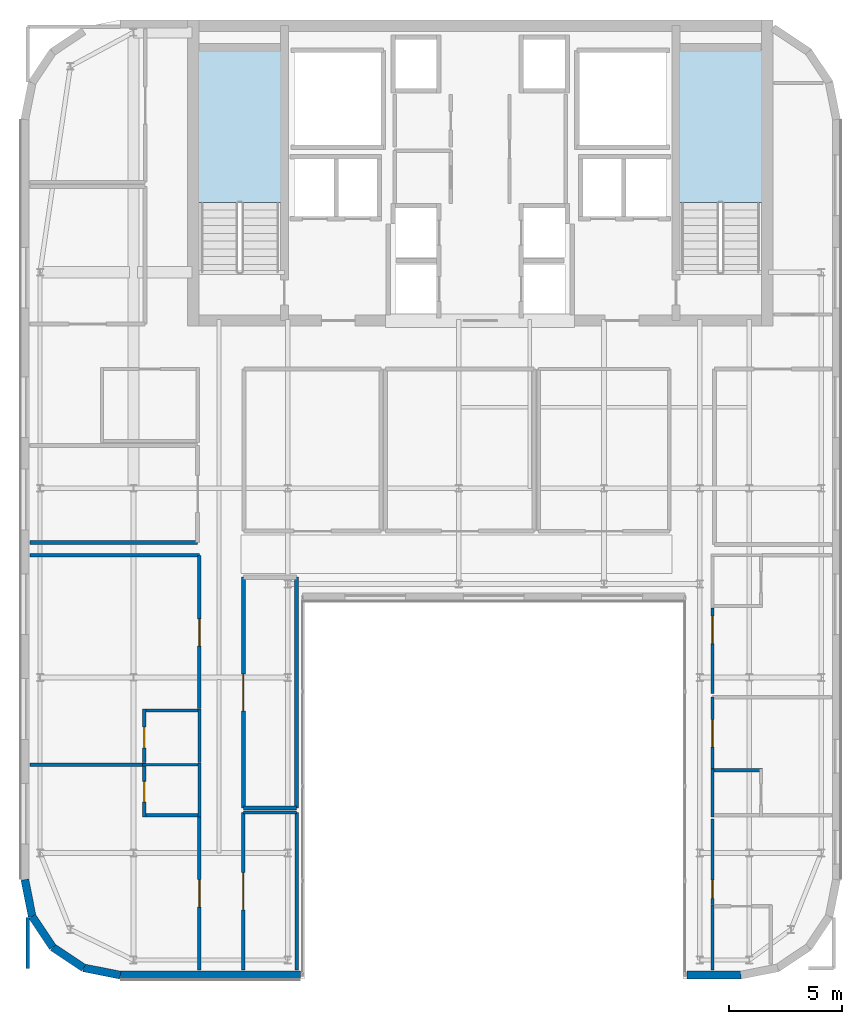
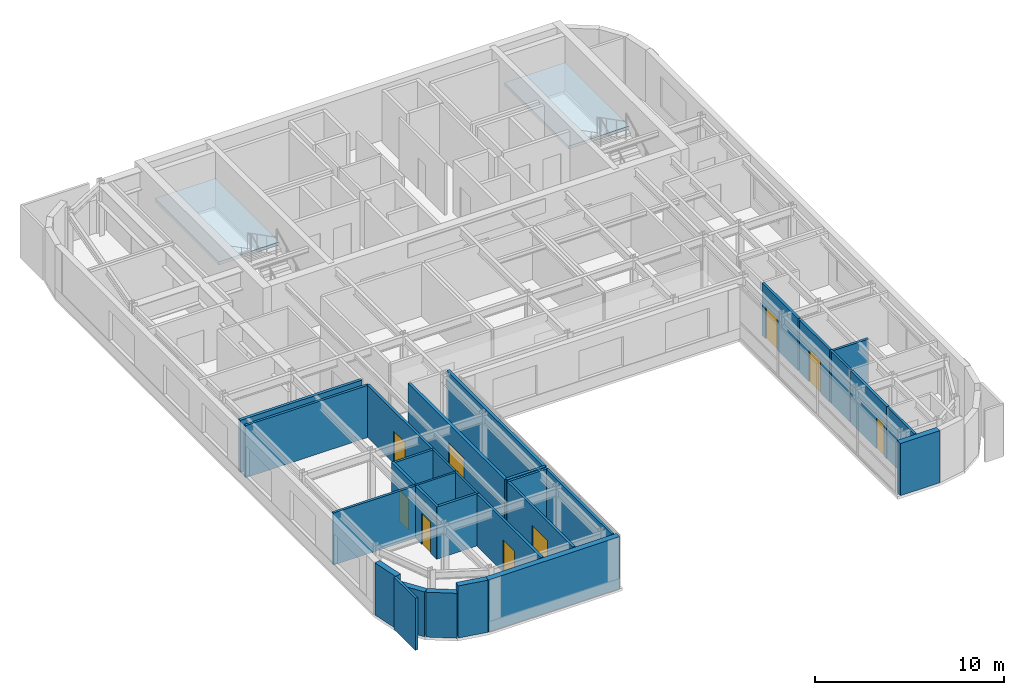
# One storey, part 13 of 21: 31 walls, 9 doors, 2 slabs, 9 openings, 2 elements without a shape of their own.
"""IFC4 building model written with IfcOpenShell, lengths in metres."""

from ifc_helpers import new_model, si_unit, direction, frame, frame_2d, origin, place, context, subcontext, project, spatial, polyline, rectangle, outline, extrude, source, transform, mapped, material, layer, layer_set, type_object, type_shapes, element, fill, aggregate, save


model = new_model("IFC4")

# Units and contexts
model_context = context("Model", 3, precision=1e-05, world=origin(), true_north=direction((0.0, 1.0)))
body_context = subcontext(model_context, "Body", "Model", "MODEL_VIEW")
ifc_project = project(units=[si_unit("LENGTHUNIT", "METRE"), si_unit("AREAUNIT", "SQUARE_METRE"), si_unit("VOLUMEUNIT", "CUBIC_METRE"), si_unit("PLANEANGLEUNIT", "RADIAN"), si_unit("MASSUNIT", "GRAM", prefix="KILO")], contexts=[model_context])

# Site, building, storey
site_placement = place(None, origin())
site = spatial("IfcSite", under=ifc_project, at=site_placement, CompositionType="ELEMENT")
building_placement = place(site_placement, origin())
building = spatial("IfcBuilding", under=site, at=building_placement, Name="Tolvann Quenvar Hotel", CompositionType="ELEMENT")
storey_placement = place(building_placement, frame((0.0, 0.0, 255.85009765625)))
storey = spatial("IfcBuildingStorey", under=building, at=storey_placement, Name="L68", CompositionType="ELEMENT", Elevation=255.85009765625)

# Stair, slab
ifc_material_1 = material(Name="Concrete N40 (40 MPa)", Category="concrete")
stair_type = type_object("IfcStairType", Name="STAIR", PredefinedType="HALF_TURN_STAIR", material=ifc_material_1)
stair_1_placement = place(storey_placement, origin())
stair_1 = element("IfcStair", 1, at=stair_1_placement, inside=storey, type_object=stair_type, Name="L68 ST-C1", PredefinedType="HALF_TURN_STAIR")
ifc_layer_1 = layer(ifc_material_1, 0.199951171875)
ifc_layer_set_1 = layer_set([ifc_layer_1], Name="Concrete N40 (40 MPa)")
slab_type = type_object("IfcSlabType", Name="SLAB_LANDING", PredefinedType="LANDING", material=ifc_layer_set_1)
slab_1_placement = place(storey_placement, frame((0.0, 0.0, 1.574951171875)))
slab_1 = element("IfcSlab", 2, at=slab_1_placement, type_object=slab_type, Name="ST-C1 landing 1", PredefinedType="LANDING", context=body_context, shape_type="SweptSolid", body=[
    extrude(outline(polyline([(14.179931640625, 37.10498046875), (14.179931640625, 43.8798828125), (10.469970703125, 43.8798828125), (10.469970703125, 37.10498046875), (14.179931640625, 37.10498046875)])), origin(), (0.0, 0.0, 1.0), 0.199951171875),
])
aggregate(stair_1, [slab_1])

stair_2_placement = place(storey_placement, origin())
stair_2 = element("IfcStair", 3, at=stair_2_placement, inside=storey, type_object=stair_type, Name="L68 ST-C2", PredefinedType="HALF_TURN_STAIR")
slab_2_placement = place(storey_placement, frame((0.0, 0.0, 1.574951171875)))
slab_2 = element("IfcSlab", 4, at=slab_2_placement, type_object=slab_type, Name="ST-C2 landing 1", PredefinedType="LANDING", context=body_context, shape_type="SweptSolid", body=[
    extrude(outline(polyline([(35.530029296875, 37.10498046875), (35.530029296875, 43.8798828125), (31.820068359375, 43.8798828125), (31.820068359375, 37.10498046875), (35.530029296875, 37.10498046875)])), origin(), (0.0, 0.0, 1.0), 0.199951171875),
])
aggregate(stair_2, [slab_2])

# Walls
ifc_material_2 = material(Name="Kiln-fired red and buff architectural clay brickwork and terracotta masonry", Category="masonry")
ifc_layer_2 = layer(ifc_material_2, 0.35009765625)
ifc_layer_set_2 = layer_set([ifc_layer_2], Name="Kiln-fired red and buff architectural clay brickwork and terracotta masonry")
wall_type_1 = type_object("IfcWallType", Name="WALL_EXT_BRICK_350", PredefinedType="SOLIDWALL", material=ifc_layer_set_2)
for number, where, z_axis, x_axis, name in (
    (5, (3.099609375, 5.384521484375, 0.0), (0.0, 0.0, 1.0), (0.555623290322, -0.831434158098, 0.0), "Exterior Chicago Brick Wall L68-E01"),
    (6, (4.014892578125, 4.014892578125, 0.0), (0.0, 0.0, 1.0), (0.831434158098, -0.555623290322, 0.0), "Exterior Chicago Brick Wall L68-E02"),
):
    element("IfcWall", number, at=place(storey_placement, frame(where, z_axis=z_axis, x_axis=x_axis)), inside=storey, type_object=wall_type_1, Name=name, PredefinedType="SOLIDWALL", context=body_context, shape_type="SweptSolid", body=[
        extrude(rectangle(XDim=1.647216796875, YDim=0.35009765625, at=frame_2d((0.82373046875, 0.0))), origin(), (0.0, 0.0, 1.0), 2.89990234375),
    ])
wall_1_placement = place(storey_placement, frame((5.384521484375, 3.099609375, 0.0), z_axis=(0.0, 0.0, 1.0), x_axis=(0.980788844421, -0.195072403631, 0.0)))
element("IfcWall", 7, at=wall_1_placement, inside=storey, type_object=wall_type_1, Name="Exterior Chicago Brick Wall L68-E03", PredefinedType="SOLIDWALL", context=body_context, shape_type="SweptSolid", body=[
    extrude(rectangle(XDim=1.66455078125, YDim=0.35009765625, at=frame_2d((0.832275390625, 0.0))), origin(), (0.0, 0.0, 1.0), 3.369873046875),
])
wall_2_placement = place(storey_placement, frame((7.01708984375, 2.77490234375, 0.0), z_axis=(0.0, 0.0, 1.0), x_axis=(1.0, 0.0, 0.0)))
element("IfcWall", 8, at=wall_2_placement, inside=storey, type_object=wall_type_1, Name="Exterior Chicago Brick Wall L68-E04", PredefinedType="SOLIDWALL", context=body_context, shape_type="SweptSolid", body=[
    extrude(rectangle(XDim=8.0078125, YDim=0.35009765625, at=frame_2d((4.00390625, 0.0))), origin(), (0.0, 0.0, 1.0), 3.369873046875),
])
wall_3_placement = place(storey_placement, frame((32.175048828125, 2.77490234375, 0.0), z_axis=(0.0, 0.0, 1.0), x_axis=(1.0, 0.0, 0.0)))
element("IfcWall", 9, at=wall_3_placement, inside=storey, type_object=wall_type_1, Name="Exterior Chicago Brick Wall L68-E08", PredefinedType="SOLIDWALL", context=body_context, shape_type="SweptSolid", body=[
    extrude(rectangle(XDim=2.40771484375, YDim=0.35009765625, at=frame_2d((1.203857421875, 0.0))), origin(), (0.0, 0.0, 1.0), 3.369873046875),
])
wall_4_placement = place(storey_placement, frame((2.77490234375, 7.01708984375, 0.0), z_axis=(0.0, 0.0, 1.0), x_axis=(0.195072403631, -0.980788844421, 0.0)))
element("IfcWall", 10, at=wall_4_placement, inside=storey, type_object=wall_type_1, Name="Exterior Chicago Brick Wall L68-E24", PredefinedType="SOLIDWALL", context=body_context, shape_type="SweptSolid", body=[
    extrude(rectangle(XDim=1.66455078125, YDim=0.35009765625, at=frame_2d((0.832275390625, 0.0))), origin(), (0.0, 0.0, 1.0), 3.369873046875),
])
ifc_material_3 = material(Name="Acoustic twin-stud fire-rated gypsum plasterboard partition")
ifc_layer_3 = layer(ifc_material_3, 0.179931640625)
ifc_layer_set_3 = layer_set([ifc_layer_3], Name="Acoustic twin-stud fire-rated gypsum plasterboard partition")
wall_type_2 = type_object("IfcWallType", Name="WALL_PART_ACOUSTIC_180", PredefinedType="PARTITIONING", material=ifc_layer_set_3)
wall_5_placement = place(storey_placement, frame((12.47998046875, 10.199951171875, 0.0), z_axis=(0.0, 0.0, 1.0), x_axis=(1.0, 0.0, 0.0)))
element("IfcWall", 11, at=wall_5_placement, inside=storey, type_object=wall_type_2, Name="Interior Partition PT-SPC-L68-POVL-S", PredefinedType="PARTITIONING", context=body_context, shape_type="SweptSolid", body=[
    extrude(rectangle(XDim=2.3701171875, YDim=0.179931640625, at=frame_2d((1.18505859375, 0.0))), origin(), (0.0, 0.0, 1.0), 3.369873046875),
])

# Wall, opening, door
wall_6_placement = place(storey_placement, frame((12.47998046875, 10.199951171875, 0.0), z_axis=(0.0, 0.0, 1.0), x_axis=(0.0, 1.0, 0.0)))
wall_6 = element("IfcWall", 12, at=wall_6_placement, inside=storey, type_object=wall_type_2, Name="Interior Partition PT-SPC-L68-POVL-W", PredefinedType="PARTITIONING", context=body_context, shape_type="SweptSolid", body=[
    extrude(rectangle(XDim=10.25, YDim=0.179931640625, at=frame_2d((5.125, 0.0))), origin(), (0.0, 0.0, 1.0), 3.369873046875),
])
opening_1_placement = place(wall_6_placement, frame((4.300048828125, 0.0, 0.0)))
opening_1 = element("IfcOpeningElement", 13, at=opening_1_placement, cuts=wall_6, Name="Opening AD-01", PredefinedType="OPENING", context=body_context, shape_type="SweptSolid", body=[
    extrude(rectangle(XDim=1.64990234375, YDim=2.14990234375, at=frame_2d((0.824951171875, 1.074951171875))), frame((0.0, 0.10009765625, 0.0), z_axis=(0.0, -1.0, 0.0), x_axis=(1.0, 0.0, 0.0)), (0.0, 0.0, 1.0), 0.199951171875),
])
ifc_material_4 = material(Name="Solid-core American oak acoustic fire door leaf in steel frame", Category="steel")
door_type_1 = type_object("IfcDoorType", Name="DOOR_SALON_1650", OperationType="NOTDEFINED", PredefinedType="DOOR", material=ifc_material_4)
shared_shape_1 = source(origin(), body_context, "Body", "SweptSolid", [
    extrude(rectangle(XDim=1.64990234375, YDim=2.14990234375, at=frame_2d((0.824951171875, 1.074951171875))), frame((0.0, 0.02490234375, 0.0), z_axis=(0.0, -1.0, 0.0), x_axis=(1.0, 0.0, 0.0)), (0.0, 0.0, 1.0), 0.050048828125),
])
type_shapes(door_type_1, [shared_shape_1])
door_1_placement = place(opening_1_placement, origin())
door_1 = element("IfcDoor", 14, at=door_1_placement, inside=storey, type_object=door_type_1, Name="Interior Door DOOR-SPC-L68-POVL", OperationType="DOUBLE_DOOR_SINGLE_SWING", OverallHeight=2.14990234375, OverallWidth=1.64990234375, PredefinedType="DOOR", context=body_context, shape_type="MappedRepresentation", body=[
    mapped(shared_shape_1, transform((0.0, 0.0, 0.0), x_axis=(1.0, 0.0, 0.0), y_axis=(0.0, 1.0, 0.0), z_axis=(0.0, 0.0, 1.0), scale=1.0)),
])
fill(opening_1, door_1)

# Walls
wall_7_placement = place(storey_placement, frame((14.85009765625, 10.199951171875, 0.0), z_axis=(0.0, 0.0, 1.0), x_axis=(0.0, 1.0, 0.0)))
element("IfcWall", 15, at=wall_7_placement, inside=storey, type_object=wall_type_2, Name="Interior Partition PT-SPC-L68-POVL-E", PredefinedType="PARTITIONING", context=body_context, shape_type="SweptSolid", body=[
    extrude(rectangle(XDim=10.25, YDim=0.179931640625, at=frame_2d((5.125, 0.0))), origin(), (0.0, 0.0, 1.0), 3.369873046875),
])
wall_8_placement = place(storey_placement, frame((3.0048828125, 22.0, 0.0), z_axis=(0.0, 0.0, 1.0), x_axis=(1.0, 0.0, 0.0)))
element("IfcWall", 16, at=wall_8_placement, inside=storey, type_object=wall_type_2, Name="Interior Partition PT-SPC-L68-WCLNG-S", PredefinedType="PARTITIONING", context=body_context, shape_type="SweptSolid", body=[
    extrude(rectangle(XDim=7.445068359375, YDim=0.179931640625, at=frame_2d((3.72265625, 0.0))), origin(), (0.0, 0.0, 1.0), 3.369873046875),
])
ifc_material_5 = material(Name="Moisture-resistant acoustic plumbing wall assembly")
ifc_layer_4 = layer(ifc_material_5, 0.1201171875)
ifc_layer_set_4 = layer_set([ifc_layer_4], Name="Moisture-resistant acoustic plumbing wall assembly")
wall_type_3 = type_object("IfcWallType", Name="WALL_PART_BATH_120", PredefinedType="PLUMBINGWALL", material=ifc_layer_set_4)
wall_9_placement = place(storey_placement, frame((8.010009765625, 12.1201171875, 0.0), z_axis=(0.0, 0.0, 1.0), x_axis=(1.0, 0.0, 0.0)))
element("IfcWall", 17, at=wall_9_placement, inside=storey, type_object=wall_type_3, Name="Non-Rated Plumbing Partition PT-SPC-L68-ENS-PW01-N", PredefinedType="PLUMBINGWALL", context=body_context, shape_type="SweptSolid", body=[
    extrude(rectangle(XDim=2.590087890625, YDim=0.1201171875, at=frame_2d((1.294921875, 0.0))), origin(), (0.0, 0.0, 1.0), 3.369873046875),
])
wall_10_placement = place(storey_placement, frame((10.530029296875, 9.800048828125, 0.0), z_axis=(0.0, 0.0, 1.0), x_axis=(0.0, 1.0, 0.0)))
element("IfcWall", 18, at=wall_10_placement, inside=storey, type_object=wall_type_3, Name="Non-Rated Plumbing Partition PT-SPC-L68-ENS-PW01-E", PredefinedType="PLUMBINGWALL", context=body_context, shape_type="SweptSolid", body=[
    extrude(rectangle(XDim=2.389892578125, YDim=0.1201171875, at=frame_2d((1.19482421875, 0.0))), origin(), (0.0, 0.0, 1.0), 3.369873046875),
])
wall_11_placement = place(storey_placement, frame((10.530029296875, 12.2099609375, 0.0), z_axis=(0.0, 0.0, 1.0), x_axis=(0.0, 1.0, 0.0)))
element("IfcWall", 19, at=wall_11_placement, inside=storey, type_object=wall_type_3, Name="Non-Rated Plumbing Partition PT-SPC-L68-ENS-PW02-E", PredefinedType="PLUMBINGWALL", context=body_context, shape_type="SweptSolid", body=[
    extrude(rectangle(XDim=2.39013671875, YDim=0.1201171875, at=frame_2d((1.195068359375, 0.0))), origin(), (0.0, 0.0, 1.0), 3.369873046875),
])
wall_12_placement = place(storey_placement, frame((33.320068359375, 3.0048828125, 0.0), z_axis=(0.0, 0.0, 1.0), x_axis=(0.0, 1.0, 0.0)))
element("IfcWall", 20, at=wall_12_placement, inside=storey, type_object=wall_type_3, Name="Non-Rated Plumbing Partition PT-SPC-L68-ENS-PE01-W", PredefinedType="PLUMBINGWALL", context=body_context, shape_type="SweptSolid", body=[
    extrude(rectangle(XDim=2.89501953125, YDim=0.1201171875, at=frame_2d((1.447509765625, 0.0))), origin(), (0.0, 0.0, 1.0), 3.369873046875),
])
wall_13_placement = place(storey_placement, frame((33.320068359375, 9.81005859375, 0.0), z_axis=(0.0, 0.0, 1.0), x_axis=(0.0, 1.0, 0.0)))
element("IfcWall", 21, at=wall_13_placement, inside=storey, type_object=wall_type_3, Name="Non-Rated Plumbing Partition PT-SPC-L68-ENS-PE02-W", PredefinedType="PLUMBINGWALL", context=body_context, shape_type="SweptSolid", body=[
    extrude(rectangle(XDim=2.130859375, YDim=0.1201171875, at=frame_2d((1.0654296875, 0.0))), origin(), (0.0, 0.0, 1.0), 3.369873046875),
])

# Wall, opening, door
ifc_layer_5 = layer(ifc_material_3, 0.14990234375)
ifc_layer_set_5 = layer_set([ifc_layer_5], Name="Acoustic twin-stud fire-rated gypsum plasterboard partition")
wall_type_4 = type_object("IfcWallType", Name="WALL_PART_SUITE_150", PredefinedType="PARTITIONING", material=ifc_layer_set_5)
wall_14_placement = place(storey_placement, frame((8.080078125, 9.800048828125, 0.0), z_axis=(0.0, 0.0, 1.0), x_axis=(0.0, 1.0, 0.0)))
wall_14 = element("IfcWall", 22, at=wall_14_placement, inside=storey, type_object=wall_type_4, Name="Interior Partition PT-SPC-L68-ENS-PW01-ENT", PredefinedType="PARTITIONING", context=body_context, shape_type="SweptSolid", body=[
    extrude(rectangle(XDim=2.389892578125, YDim=0.14990234375, at=frame_2d((1.19482421875, 0.0))), origin(), (0.0, 0.0, 1.0), 3.369873046875),
])
opening_2_placement = place(wall_14_placement, frame((0.6650390625, 0.0, 0.0)))
opening_2 = element("IfcOpeningElement", 23, at=opening_2_placement, cuts=wall_14, Name="Opening WD-01", PredefinedType="OPENING", context=body_context, shape_type="SweptSolid", body=[
    extrude(rectangle(XDim=0.919921875, YDim=2.010009765625, at=frame_2d((0.4599609375, 1.0048828125))), frame((0.0, 0.0849609375, 0.0), z_axis=(0.0, -1.0, 0.0), x_axis=(1.0, 0.0, 0.0)), (0.0, 0.0, 1.0), 0.169921875),
])
door_type_2 = type_object("IfcDoorType", Name="DOOR_WC_920", OperationType="NOTDEFINED", PredefinedType="DOOR", material=ifc_material_4)
shared_shape_2 = source(origin(), body_context, "Body", "SweptSolid", [
    extrude(rectangle(XDim=0.919921875, YDim=2.010009765625, at=frame_2d((0.4599609375, 1.0048828125))), frame((0.0, 0.02490234375, 0.0), z_axis=(0.0, -1.0, 0.0), x_axis=(1.0, 0.0, 0.0)), (0.0, 0.0, 1.0), 0.050048828125),
])
type_shapes(door_type_2, [shared_shape_2])
door_2_placement = place(opening_2_placement, origin())
door_2 = element("IfcDoor", 24, at=door_2_placement, inside=storey, type_object=door_type_2, Name="Interior Door DOOR-SPC-L68-ENS-PW01", OperationType="SINGLE_SWING_LEFT", OverallHeight=2.010009765625, OverallWidth=0.919921875, PredefinedType="DOOR", context=body_context, shape_type="MappedRepresentation", body=[
    mapped(shared_shape_2, transform((0.0, 0.0, 0.0), x_axis=(1.0, 0.0, 0.0), y_axis=(0.0, 1.0, 0.0), z_axis=(0.0, 0.0, 1.0), scale=1.0)),
])
fill(opening_2, door_2)

# Wall
wall_15_placement = place(storey_placement, frame((8.010009765625, 9.8701171875, 0.0), z_axis=(0.0, 0.0, 1.0), x_axis=(1.0, 0.0, 0.0)))
element("IfcWall", 25, at=wall_15_placement, inside=storey, type_object=wall_type_4, Name="Interior Partition PT-SPC-L68-ENS-PW01-S", PredefinedType="PARTITIONING", context=body_context, shape_type="SweptSolid", body=[
    extrude(rectangle(XDim=2.590087890625, YDim=0.14990234375, at=frame_2d((1.294921875, 0.0))), origin(), (0.0, 0.0, 1.0), 3.369873046875),
])

# Wall, opening, door
wall_16_placement = place(storey_placement, frame((8.080078125, 12.2099609375, 0.0), z_axis=(0.0, 0.0, 1.0), x_axis=(0.0, 1.0, 0.0)))
wall_16 = element("IfcWall", 26, at=wall_16_placement, inside=storey, type_object=wall_type_4, Name="Interior Partition PT-SPC-L68-ENS-PW02-ENT", PredefinedType="PARTITIONING", context=body_context, shape_type="SweptSolid", body=[
    extrude(rectangle(XDim=2.39013671875, YDim=0.14990234375, at=frame_2d((1.195068359375, 0.0))), origin(), (0.0, 0.0, 1.0), 3.369873046875),
])
opening_3_placement = place(wall_16_placement, frame((0.6650390625, 0.0, 0.0)))
opening_3 = element("IfcOpeningElement", 27, at=opening_3_placement, cuts=wall_16, Name="Opening WD-01", PredefinedType="OPENING", context=body_context, shape_type="SweptSolid", body=[
    extrude(rectangle(XDim=0.919921875, YDim=2.010009765625, at=frame_2d((0.4599609375, 1.0048828125))), frame((0.0, 0.0849609375, 0.0), z_axis=(0.0, -1.0, 0.0), x_axis=(1.0, 0.0, 0.0)), (0.0, 0.0, 1.0), 0.169921875),
])
door_3_placement = place(opening_3_placement, origin())
door_3 = element("IfcDoor", 28, at=door_3_placement, inside=storey, type_object=door_type_2, Name="Interior Door DOOR-SPC-L68-ENS-PW02", OperationType="SINGLE_SWING_RIGHT", OverallHeight=2.010009765625, OverallWidth=0.919921875, PredefinedType="DOOR", context=body_context, shape_type="MappedRepresentation", body=[
    mapped(shared_shape_2, transform((0.0, 0.0, 0.0), x_axis=(1.0, 0.0, 0.0), y_axis=(0.0, 1.0, 0.0), z_axis=(0.0, 0.0, 1.0), scale=1.0)),
])
fill(opening_3, door_3)

# Walls
wall_17_placement = place(storey_placement, frame((8.010009765625, 14.530029296875, 0.0), z_axis=(0.0, 0.0, 1.0), x_axis=(1.0, 0.0, 0.0)))
element("IfcWall", 29, at=wall_17_placement, inside=storey, type_object=wall_type_4, Name="Interior Partition PT-SPC-L68-ENS-PW02-N", PredefinedType="PARTITIONING", context=body_context, shape_type="SweptSolid", body=[
    extrude(rectangle(XDim=2.590087890625, YDim=0.14990234375, at=frame_2d((1.294921875, 0.0))), origin(), (0.0, 0.0, 1.0), 3.369873046875),
])
wall_18_placement = place(storey_placement, frame((33.25, 11.87109375, 0.0), z_axis=(0.0, 0.0, 1.0), x_axis=(1.0, 0.0, 0.0)))
element("IfcWall", 30, at=wall_18_placement, inside=storey, type_object=wall_type_4, Name="Interior Partition PT-SPC-L68-ENS-PE02-N", PredefinedType="PARTITIONING", context=body_context, shape_type="SweptSolid", body=[
    extrude(rectangle(XDim=2.2900390625, YDim=0.14990234375, at=frame_2d((1.14501953125, 0.0))), origin(), (0.0, 0.0, 1.0), 3.369873046875),
])

# Wall, opening, door
wall_19_placement = place(storey_placement, frame((10.530029296875, 3.0048828125, 0.0), z_axis=(0.0, 0.0, 1.0), x_axis=(0.0, 1.0, 0.0)))
wall_19 = element("IfcWall", 31, at=wall_19_placement, inside=storey, type_object=wall_type_4, Name="Interior Partition PT-SPC-L68-RM-PW01-ENT", PredefinedType="PARTITIONING", context=body_context, shape_type="SweptSolid", body=[
    extrude(rectangle(XDim=6.78515625, YDim=0.14990234375, at=frame_2d((3.392578125, 0.0))), origin(), (0.0, 0.0, 1.0), 3.369873046875),
])
opening_4_placement = place(wall_19_placement, frame((2.7900390625, 0.0, 0.0)))
opening_4 = element("IfcOpeningElement", 32, at=opening_4_placement, cuts=wall_19, Name="Opening SD-02", PredefinedType="OPENING", context=body_context, shape_type="SweptSolid", body=[
    extrude(rectangle(XDim=1.219970703125, YDim=2.080078125, at=frame_2d((0.60986328125, 1.0400390625))), frame((0.0, 0.0849609375, 0.0), z_axis=(0.0, -1.0, 0.0), x_axis=(1.0, 0.0, 0.0)), (0.0, 0.0, 1.0), 0.169921875),
])
door_type_3 = type_object("IfcDoorType", Name="DOOR_VIP_1220", OperationType="NOTDEFINED", PredefinedType="DOOR", material=ifc_material_4)
shared_shape_3 = source(origin(), body_context, "Body", "SweptSolid", [
    extrude(rectangle(XDim=1.219970703125, YDim=2.080078125, at=frame_2d((0.60986328125, 1.0400390625))), frame((0.0, 0.02490234375, 0.0), z_axis=(0.0, -1.0, 0.0), x_axis=(1.0, 0.0, 0.0)), (0.0, 0.0, 1.0), 0.050048828125),
])
type_shapes(door_type_3, [shared_shape_3])
door_4_placement = place(opening_4_placement, origin())
door_4 = element("IfcDoor", 33, at=door_4_placement, inside=storey, type_object=door_type_3, Name="Interior Door DOOR-SPC-L68-RM-PW01", OperationType="SINGLE_SWING_LEFT", OverallHeight=2.080078125, OverallWidth=1.219970703125, PredefinedType="DOOR", context=body_context, shape_type="MappedRepresentation", body=[
    mapped(shared_shape_3, transform((0.0, 0.0, 0.0), x_axis=(1.0, 0.0, 0.0), y_axis=(0.0, 1.0, 0.0), z_axis=(0.0, 0.0, 1.0), scale=1.0)),
])
fill(opening_4, door_4)

# Walls
wall_20_placement = place(storey_placement, frame((3.0048828125, 12.1201171875, 0.0), z_axis=(0.0, 0.0, 1.0), x_axis=(1.0, 0.0, 0.0)))
element("IfcWall", 34, at=wall_20_placement, inside=storey, type_object=wall_type_4, Name="Interior Partition PT-SPC-L68-RM-PW01-E5", PredefinedType="PARTITIONING", context=body_context, shape_type="SweptSolid", body=[
    extrude(rectangle(XDim=5.05517578125, YDim=0.14990234375, at=frame_2d((2.527587890625, 0.0))), origin(), (0.0, 0.0, 1.0), 3.369873046875),
])
wall_21_placement = place(storey_placement, frame((2.89990234375, 3.080078125, 0.0), z_axis=(0.0, 0.0, 1.0), x_axis=(0.0, 1.0, 0.0)))
element("IfcWall", 35, at=wall_21_placement, inside=storey, type_object=wall_type_4, Name="Interior Partition PT-SPC-L68-RM-PW01-E6", PredefinedType="PARTITIONING", context=body_context, shape_type="SweptSolid", body=[
    extrude(rectangle(XDim=2.264892578125, YDim=0.14990234375, at=frame_2d((1.13232421875, 0.0))), origin(), (0.0, 0.0, 1.0), 3.369873046875),
])

# Wall, opening, door
wall_22_placement = place(storey_placement, frame((10.530029296875, 14.610107421875, 0.0), z_axis=(0.0, 0.0, 1.0), x_axis=(0.0, 1.0, 0.0)))
wall_22 = element("IfcWall", 36, at=wall_22_placement, inside=storey, type_object=wall_type_4, Name="Interior Partition PT-SPC-L68-RM-PW02-ENT", PredefinedType="PARTITIONING", context=body_context, shape_type="SweptSolid", body=[
    extrude(rectangle(XDim=6.809814453125, YDim=0.14990234375, at=frame_2d((3.40478515625, 0.0))), origin(), (0.0, 0.0, 1.0), 3.369873046875),
])
opening_5_placement = place(wall_22_placement, frame((2.77490234375, 0.0, 0.0)))
opening_5 = element("IfcOpeningElement", 37, at=opening_5_placement, cuts=wall_22, Name="Opening SD-02", PredefinedType="OPENING", context=body_context, shape_type="SweptSolid", body=[
    extrude(rectangle(XDim=1.219970703125, YDim=2.080078125, at=frame_2d((0.60986328125, 1.0400390625))), frame((0.0, 0.0849609375, 0.0), z_axis=(0.0, -1.0, 0.0), x_axis=(1.0, 0.0, 0.0)), (0.0, 0.0, 1.0), 0.169921875),
])
door_5_placement = place(opening_5_placement, origin())
door_5 = element("IfcDoor", 38, at=door_5_placement, inside=storey, type_object=door_type_3, Name="Interior Door DOOR-SPC-L68-RM-PW02", OperationType="SINGLE_SWING_RIGHT", OverallHeight=2.080078125, OverallWidth=1.219970703125, PredefinedType="DOOR", context=body_context, shape_type="MappedRepresentation", body=[
    mapped(shared_shape_3, transform((0.0, 0.0, 0.0), x_axis=(1.0, 0.0, 0.0), y_axis=(0.0, 1.0, 0.0), z_axis=(0.0, 0.0, 1.0), scale=1.0)),
])
fill(opening_5, door_5)

# Wall
wall_23_placement = place(storey_placement, frame((3.0048828125, 21.419921875, 0.0), z_axis=(0.0, 0.0, 1.0), x_axis=(1.0, 0.0, 0.0)))
element("IfcWall", 39, at=wall_23_placement, inside=storey, type_object=wall_type_4, Name="Interior Partition PT-SPC-L68-RM-PW02-E5", PredefinedType="PARTITIONING", context=body_context, shape_type="SweptSolid", body=[
    extrude(rectangle(XDim=7.525146484375, YDim=0.14990234375, at=frame_2d((3.7626953125, 0.0))), origin(), (0.0, 0.0, 1.0), 3.369873046875),
])

# Wall, opening, door
wall_24_placement = place(storey_placement, frame((33.320068359375, 5.909912109375, 0.0), z_axis=(0.0, 0.0, 1.0), x_axis=(0.0, 1.0, 0.0)))
wall_24 = element("IfcWall", 40, at=wall_24_placement, inside=storey, type_object=wall_type_4, Name="Interior Partition PT-SPC-L68-RM-PE01-ENT", PredefinedType="PARTITIONING", context=body_context, shape_type="SweptSolid", body=[
    extrude(rectangle(XDim=3.81005859375, YDim=0.14990234375, at=frame_2d((1.905029296875, 0.0))), origin(), (0.0, 0.0, 1.0), 3.369873046875),
])
opening_6_placement = place(wall_24_placement, frame((0.27001953125, 0.0, 0.0)))
opening_6 = element("IfcOpeningElement", 41, at=opening_6_placement, cuts=wall_24, Name="Opening HD-02", PredefinedType="OPENING", context=body_context, shape_type="SweptSolid", body=[
    extrude(rectangle(XDim=0.820068359375, YDim=2.010009765625, at=frame_2d((0.41015625, 1.0048828125))), frame((0.0, 0.0849609375, 0.0), z_axis=(0.0, -1.0, 0.0), x_axis=(1.0, 0.0, 0.0)), (0.0, 0.0, 1.0), 0.169921875),
])
ifc_material_6 = material(Name="Pressed galvanised steel fire-rated door set", Category="steel")
door_type_4 = type_object("IfcDoorType", Name="DOOR_STORE_820", OperationType="NOTDEFINED", PredefinedType="DOOR", material=ifc_material_6)
shared_shape_4 = source(origin(), body_context, "Body", "SweptSolid", [
    extrude(rectangle(XDim=0.820068359375, YDim=2.010009765625, at=frame_2d((0.41015625, 1.0048828125))), frame((0.0, 0.02490234375, 0.0), z_axis=(0.0, -1.0, 0.0), x_axis=(1.0, 0.0, 0.0)), (0.0, 0.0, 1.0), 0.050048828125),
])
type_shapes(door_type_4, [shared_shape_4])
door_6_placement = place(opening_6_placement, origin())
door_6 = element("IfcDoor", 42, at=door_6_placement, inside=storey, type_object=door_type_4, Name="Interior Door DOOR-SPC-L68-RM-PE01", OperationType="SINGLE_SWING_LEFT", OverallHeight=2.010009765625, OverallWidth=0.820068359375, PredefinedType="DOOR", context=body_context, shape_type="MappedRepresentation", body=[
    mapped(shared_shape_4, transform((0.0, 0.0, 0.0), x_axis=(1.0, 0.0, 0.0), y_axis=(0.0, 1.0, 0.0), z_axis=(0.0, 0.0, 1.0), scale=1.0)),
])
fill(opening_6, door_6)

wall_25_placement = place(storey_placement, frame((33.320068359375, 11.950927734375, 0.0), z_axis=(0.0, 0.0, 1.0), x_axis=(0.0, 1.0, 0.0)))
wall_25 = element("IfcWall", 43, at=wall_25_placement, inside=storey, type_object=wall_type_4, Name="Interior Partition PT-SPC-L68-RM-PE02-ENT", PredefinedType="PARTITIONING", context=body_context, shape_type="SweptSolid", body=[
    extrude(rectangle(XDim=3.169189453125, YDim=0.14990234375, at=frame_2d((1.58447265625, 0.0))), origin(), (0.0, 0.0, 1.0), 3.369873046875),
])
opening_7_placement = place(wall_25_placement, frame((0.95458984375, 0.0, 0.0)))
opening_7 = element("IfcOpeningElement", 44, at=opening_7_placement, cuts=wall_25, Name="Opening SD-02", PredefinedType="OPENING", context=body_context, shape_type="SweptSolid", body=[
    extrude(rectangle(XDim=1.219970703125, YDim=2.080078125, at=frame_2d((0.60986328125, 1.0400390625))), frame((0.0, 0.0849609375, 0.0), z_axis=(0.0, -1.0, 0.0), x_axis=(1.0, 0.0, 0.0)), (0.0, 0.0, 1.0), 0.169921875),
])
door_7_placement = place(opening_7_placement, origin())
door_7 = element("IfcDoor", 45, at=door_7_placement, inside=storey, type_object=door_type_3, Name="Interior Door DOOR-SPC-L68-RM-PE02", OperationType="SINGLE_SWING_RIGHT", OverallHeight=2.080078125, OverallWidth=1.219970703125, PredefinedType="DOOR", context=body_context, shape_type="MappedRepresentation", body=[
    mapped(shared_shape_3, transform((0.0, 0.0, 0.0), x_axis=(1.0, 0.0, 0.0), y_axis=(0.0, 1.0, 0.0), z_axis=(0.0, 0.0, 1.0), scale=1.0)),
])
fill(opening_7, door_7)

wall_26_placement = place(storey_placement, frame((33.320068359375, 15.280029296875, 0.0), z_axis=(0.0, 0.0, 1.0), x_axis=(0.0, 1.0, 0.0)))
wall_26 = element("IfcWall", 46, at=wall_26_placement, inside=storey, type_object=wall_type_4, Name="Interior Partition PT-SPC-L68-RM-PE03-ENT", PredefinedType="PARTITIONING", context=body_context, shape_type="SweptSolid", body=[
    extrude(rectangle(XDim=3.81005859375, YDim=0.14990234375, at=frame_2d((1.905029296875, 0.0))), origin(), (0.0, 0.0, 1.0), 3.369873046875),
])
opening_8_placement = place(wall_26_placement, frame((2.22509765625, 0.0, 0.0)))
opening_8 = element("IfcOpeningElement", 47, at=opening_8_placement, cuts=wall_26, Name="Opening SD-02", PredefinedType="OPENING", context=body_context, shape_type="SweptSolid", body=[
    extrude(rectangle(XDim=1.219970703125, YDim=2.080078125, at=frame_2d((0.60986328125, 1.0400390625))), frame((0.0, 0.0849609375, 0.0), z_axis=(0.0, -1.0, 0.0), x_axis=(1.0, 0.0, 0.0)), (0.0, 0.0, 1.0), 0.169921875),
])
door_8_placement = place(opening_8_placement, origin())
door_8 = element("IfcDoor", 48, at=door_8_placement, inside=storey, type_object=door_type_3, Name="Interior Door DOOR-SPC-L68-RM-PE03", OperationType="SINGLE_SWING_LEFT", OverallHeight=2.080078125, OverallWidth=1.219970703125, PredefinedType="DOOR", context=body_context, shape_type="MappedRepresentation", body=[
    mapped(shared_shape_3, transform((0.0, 0.0, 0.0), x_axis=(1.0, 0.0, 0.0), y_axis=(0.0, 1.0, 0.0), z_axis=(0.0, 0.0, 1.0), scale=1.0)),
])
fill(opening_8, door_8)

# Wall
wall_27_placement = place(storey_placement, frame((12.47998046875, 10.0, 0.0), z_axis=(0.0, 0.0, 1.0), x_axis=(1.0, 0.0, 0.0)))
element("IfcWall", 49, at=wall_27_placement, inside=storey, type_object=wall_type_4, Name="Interior Partition PT-SPC-L68-PSOUTH-N", PredefinedType="PARTITIONING", context=body_context, shape_type="SweptSolid", body=[
    extrude(rectangle(XDim=2.3701171875, YDim=0.14990234375, at=frame_2d((1.18505859375, 0.0))), origin(), (0.0, 0.0, 1.0), 3.369873046875),
])

# Wall, opening, door
wall_28_placement = place(storey_placement, frame((12.47998046875, 3.0048828125, 0.0), z_axis=(0.0, 0.0, 1.0), x_axis=(0.0, 1.0, 0.0)))
wall_28 = element("IfcWall", 50, at=wall_28_placement, inside=storey, type_object=wall_type_4, Name="Interior Partition PT-SPC-L68-PSOUTH-W", PredefinedType="PARTITIONING", context=body_context, shape_type="SweptSolid", body=[
    extrude(rectangle(XDim=6.9951171875, YDim=0.14990234375, at=frame_2d((3.49755859375, 0.0))), origin(), (0.0, 0.0, 1.0), 3.369873046875),
])
opening_9_placement = place(wall_28_placement, frame((2.672607421875, 0.0, 0.0)))
opening_9 = element("IfcOpeningElement", 51, at=opening_9_placement, cuts=wall_28, Name="Opening AD-01", PredefinedType="OPENING", context=body_context, shape_type="SweptSolid", body=[
    extrude(rectangle(XDim=1.64990234375, YDim=2.14990234375, at=frame_2d((0.824951171875, 1.074951171875))), frame((0.0, 0.0849609375, 0.0), z_axis=(0.0, -1.0, 0.0), x_axis=(1.0, 0.0, 0.0)), (0.0, 0.0, 1.0), 0.169921875),
])
door_9_placement = place(opening_9_placement, origin())
door_9 = element("IfcDoor", 52, at=door_9_placement, inside=storey, type_object=door_type_1, Name="Interior Door DOOR-SPC-L68-PSOUTH", OperationType="DOUBLE_DOOR_SINGLE_SWING", OverallHeight=2.14990234375, OverallWidth=1.64990234375, PredefinedType="DOOR", context=body_context, shape_type="MappedRepresentation", body=[
    mapped(shared_shape_1, transform((0.0, 0.0, 0.0), x_axis=(1.0, 0.0, 0.0), y_axis=(0.0, 1.0, 0.0), z_axis=(0.0, 0.0, 1.0), scale=1.0)),
])
fill(opening_9, door_9)

# Wall
wall_29_placement = place(storey_placement, frame((14.85009765625, 3.0048828125, 0.0), z_axis=(0.0, 0.0, 1.0), x_axis=(0.0, 1.0, 0.0)))
element("IfcWall", 53, at=wall_29_placement, inside=storey, type_object=wall_type_4, Name="Interior Partition PT-SPC-L68-PSOUTH-E", PredefinedType="PARTITIONING", context=body_context, shape_type="SweptSolid", body=[
    extrude(rectangle(XDim=6.9951171875, YDim=0.14990234375, at=frame_2d((3.49755859375, 0.0))), origin(), (0.0, 0.0, 1.0), 3.369873046875),
])

save(model, "model.ifc")
